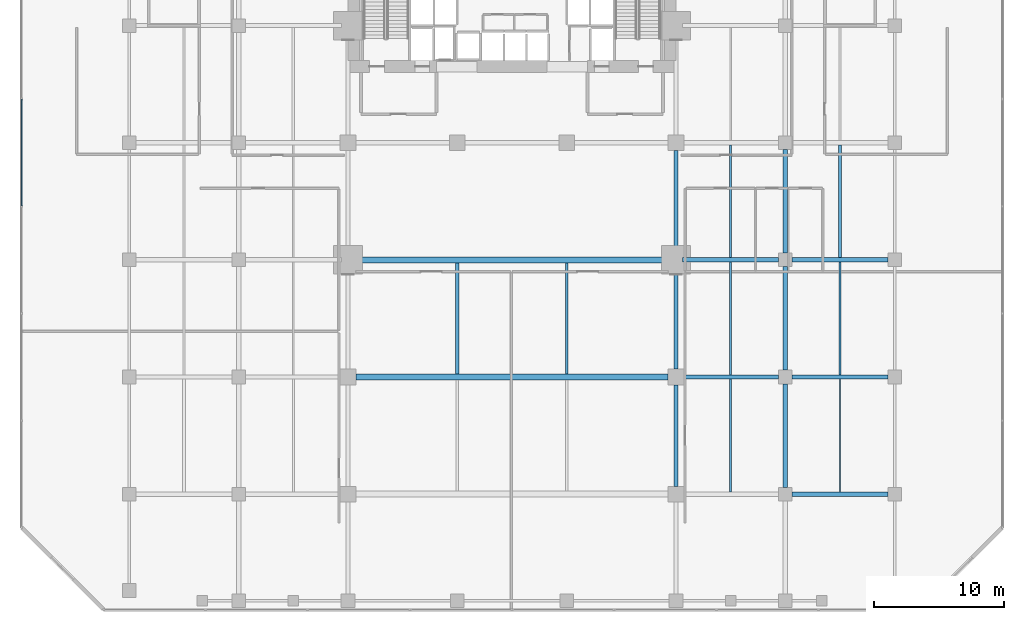
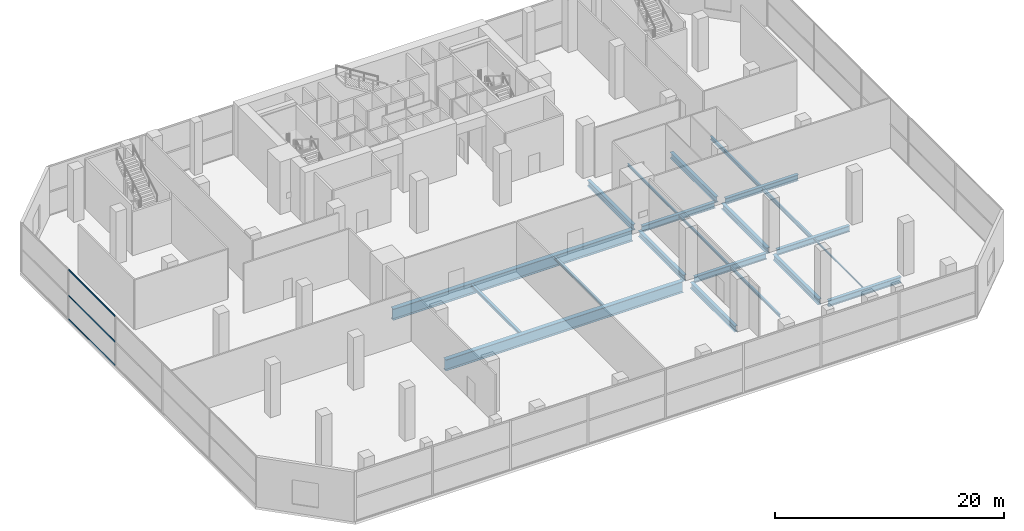
# One storey, part 16 of 40: 21 beams, 3 members, 1 element without a shape of its own.
"""IFC4 building model written with IfcOpenShell, lengths in metres."""

from ifc_helpers import new_model, si_unit, direction, frame, origin, origin_2d, place, context, subcontext, project, spatial, hollow_rectangle, i_section, extrude, material, layer, layer_set, material_profile, profile_set, type_object, element, aggregate, save


model = new_model("IFC4")

# Units and contexts
model_context = context("Model", 3, precision=1e-05, world=origin(), true_north=direction((0.0, 1.0)))
body_context = subcontext(model_context, "Body", "Model", "MODEL_VIEW")
ifc_project = project(units=[si_unit("LENGTHUNIT", "METRE"), si_unit("AREAUNIT", "SQUARE_METRE"), si_unit("VOLUMEUNIT", "CUBIC_METRE"), si_unit("PLANEANGLEUNIT", "RADIAN"), si_unit("MASSUNIT", "GRAM", prefix="KILO")], contexts=[model_context])

# Site, building, storey
site_placement = place(None, origin())
site = spatial("IfcSite", under=ifc_project, at=site_placement, CompositionType="ELEMENT")
building_placement = place(site_placement, origin())
building = spatial("IfcBuilding", under=site, at=building_placement, Name="Maruvema Waterfront Hotel and Observation Tower", CompositionType="ELEMENT")
storey_placement = place(building_placement, frame((0.0, 0.0, 10.85009765625)))
storey = spatial("IfcBuildingStorey", under=building, at=storey_placement, Name="L02", CompositionType="ELEMENT", Elevation=10.85009765625)

# Curtain wall, members
ifc_material_1 = material(Name="Anodised bronze aluminium and solar-control low-E IGU", Category="aluminium")
ifc_layer = layer(ifc_material_1, 0.159912109375, Name="Podium Waterfront Storefront Curtain Wall System CW-01")
ifc_layer_set = layer_set([ifc_layer], Name="Anodised bronze aluminium and solar-control low-E IGU")
curtain_wall_type = type_object("IfcCurtainWallType", Name="Podium Waterfront Storefront Curtain Wall System CW-01", PredefinedType="USERDEFINED", material=ifc_layer_set)
curtain_wall_placement = place(storey_placement, origin())
curtain_wall = element("IfcCurtainWall", 1, at=curtain_wall_placement, inside=storey, type_object=curtain_wall_type, Name="L02 Curtain Wall CW-L02-W", ObjectType="UNITISED CURTAIN WALL", PredefinedType="USERDEFINED")
ifc_material_2 = material(Name="Anodised architectural bronze aluminium", Category="aluminium")
ifc_material_profile_1 = material_profile(ifc_material_2, hollow_rectangle(XDim=0.070068359375, YDim=0.14990234375, WallThickness=0.00390625, at=origin_2d()), Name="ALU-T70x150")
ifc_profile_set_1 = profile_set([ifc_material_profile_1], Name="Anodised architectural bronze aluminium")
member_type = type_object("IfcMemberType", Name="Curtain Wall Horizontal Transom ALU-T70x150", PredefinedType="USERDEFINED", material=ifc_profile_set_1)
member_1_placement = place(storey_placement, frame((0.1201171875, 39.330078125, 0.02978515625), z_axis=(0.0, -1.0, 0.0), x_axis=(1.0, 0.0, 0.0)))
member_1 = element("IfcMember", 2, at=member_1_placement, type_object=member_type, Name="CW-01 transom 2.1", ObjectType="TRANSOM", PredefinedType="USERDEFINED", context=body_context, shape_type="SweptSolid", body=[
    extrude(hollow_rectangle(XDim=0.070068359375, YDim=0.14990234375, WallThickness=0.00390625, at=origin_2d()), origin(), (0.0, 0.0, 1.0), 8.18017578125),
])
member_2_placement = place(storey_placement, frame((0.1201171875, 39.330078125, 2.5498046875), z_axis=(0.0, -1.0, 0.0), x_axis=(1.0, 0.0, 0.0)))
member_2 = element("IfcMember", 3, at=member_2_placement, type_object=member_type, Name="CW-01 transom 2.2", ObjectType="TRANSOM", PredefinedType="USERDEFINED", context=body_context, shape_type="SweptSolid", body=[
    extrude(hollow_rectangle(XDim=0.070068359375, YDim=0.14990234375, WallThickness=0.00390625, at=origin_2d()), origin(), (0.0, 0.0, 1.0), 8.18017578125),
])
member_3_placement = place(storey_placement, frame((0.1201171875, 39.330078125, 5.289794921875), z_axis=(0.0, -1.0, 0.0), x_axis=(1.0, 0.0, 0.0)))
member_3 = element("IfcMember", 4, at=member_3_placement, type_object=member_type, Name="CW-01 transom 2.3", ObjectType="TRANSOM", PredefinedType="USERDEFINED", context=body_context, shape_type="SweptSolid", body=[
    extrude(hollow_rectangle(XDim=0.070068359375, YDim=0.14990234375, WallThickness=0.00390625, at=origin_2d()), origin(), (0.0, 0.0, 1.0), 8.18017578125),
])
aggregate(curtain_wall, [member_1, member_2, member_3])

# Beams
ifc_material_3 = material(Name="Steel ASTM A572 Grade 50", Category="steel")
ifc_material_profile_2 = material_profile(ifc_material_3, i_section(OverallWidth=0.3291015625, OverallDepth=0.635009765625, WebThickness=0.017822265625, FlangeThickness=0.031005859375, FilletRadius=0.01806640625, at=origin_2d()), Name="W610x241.0")
ifc_profile_set_2 = profile_set([ifc_material_profile_2], Name="Steel ASTM A572 Grade 50")
beam_type_1 = type_object("IfcBeamType", Name="Primary Floor Girder W610x241.0", PredefinedType="BEAM", material=ifc_profile_set_2)
beam_1_placement = place(storey_placement, frame((59.324951171875, 9.0, -0.59765625), z_axis=(1.0, 0.0, 0.0), x_axis=(0.0, 1.0, 0.0)))
element("IfcBeam", 5, at=beam_1_placement, inside=storey, type_object=beam_type_1, Name="L02 Floor Girder EW-14", PredefinedType="BEAM", context=body_context, shape_type="SweptSolid", body=[
    extrude(i_section(OverallWidth=0.3291015625, OverallDepth=0.635009765625, WebThickness=0.017822265625, FlangeThickness=0.031005859375, FilletRadius=0.01806640625, at=origin_2d()), origin(), (0.0, 0.0, 1.0), 7.35009765625),
])
beam_2_placement = place(storey_placement, frame((51.0, 18.0, -0.59765625), z_axis=(1.0, 0.0, 0.0), x_axis=(0.0, 1.0, 0.0)))
element("IfcBeam", 6, at=beam_2_placement, inside=storey, type_object=beam_type_1, Name="L02 Floor Girder EW-18", PredefinedType="BEAM", context=body_context, shape_type="SweptSolid", body=[
    extrude(i_section(OverallWidth=0.3291015625, OverallDepth=0.635009765625, WebThickness=0.017822265625, FlangeThickness=0.031005859375, FilletRadius=0.01806640625, at=origin_2d()), origin(), (0.0, 0.0, 1.0), 7.27490234375),
])
beam_3_placement = place(storey_placement, frame((59.324951171875, 18.0, -0.59765625), z_axis=(1.0, 0.0, 0.0), x_axis=(0.0, 1.0, 0.0)))
element("IfcBeam", 7, at=beam_3_placement, inside=storey, type_object=beam_type_1, Name="L02 Floor Girder EW-19", PredefinedType="BEAM", context=body_context, shape_type="SweptSolid", body=[
    extrude(i_section(OverallWidth=0.3291015625, OverallDepth=0.635009765625, WebThickness=0.017822265625, FlangeThickness=0.031005859375, FilletRadius=0.01806640625, at=origin_2d()), origin(), (0.0, 0.0, 1.0), 7.35009765625),
])
beam_4_placement = place(storey_placement, frame((50.89990234375, 27.0, -0.59765625), z_axis=(1.0, 0.0, 0.0), x_axis=(0.0, 1.0, 0.0)))
element("IfcBeam", 8, at=beam_4_placement, inside=storey, type_object=beam_type_1, Name="L02 Floor Girder EW-23", PredefinedType="BEAM", context=body_context, shape_type="SweptSolid", body=[
    extrude(i_section(OverallWidth=0.3291015625, OverallDepth=0.635009765625, WebThickness=0.017822265625, FlangeThickness=0.031005859375, FilletRadius=0.01806640625, at=origin_2d()), origin(), (0.0, 0.0, 1.0), 7.375),
])
beam_5_placement = place(storey_placement, frame((59.324951171875, 27.0, -0.59765625), z_axis=(1.0, 0.0, 0.0), x_axis=(0.0, 1.0, 0.0)))
element("IfcBeam", 9, at=beam_5_placement, inside=storey, type_object=beam_type_1, Name="L02 Floor Girder EW-24", PredefinedType="BEAM", context=body_context, shape_type="SweptSolid", body=[
    extrude(i_section(OverallWidth=0.3291015625, OverallDepth=0.635009765625, WebThickness=0.017822265625, FlangeThickness=0.031005859375, FilletRadius=0.01806640625, at=origin_2d()), origin(), (0.0, 0.0, 1.0), 7.35009765625),
])
beam_6_placement = place(storey_placement, frame((50.39990234375, 9.60009765625, -0.59765625), z_axis=(0.0, 1.0, 0.0), x_axis=(-1.0, 0.0, 0.0)))
element("IfcBeam", 10, at=beam_6_placement, inside=storey, type_object=beam_type_1, Name="L02 Floor Girder NS-19", PredefinedType="BEAM", context=body_context, shape_type="SweptSolid", body=[
    extrude(i_section(OverallWidth=0.3291015625, OverallDepth=0.635009765625, WebThickness=0.017822265625, FlangeThickness=0.031005859375, FilletRadius=0.01806640625, at=origin_2d()), origin(), (0.0, 0.0, 1.0), 7.7998046875),
])
for number, where, z_axis, x_axis, name in (
    (11, (50.39990234375, 18.60009765625, -0.59765625), (0.0, 1.0, 0.0), (-1.0, 0.0, 0.0), "L02 Floor Girder NS-20"),
    (12, (50.39990234375, 27.5, -0.59765625), (0.0, 1.0, 0.0), (-1.0, 0.0, 0.0), "L02 Floor Girder NS-21"),
):
    element("IfcBeam", number, at=place(storey_placement, frame(where, z_axis=z_axis, x_axis=x_axis)), inside=storey, type_object=beam_type_1, Name=name, PredefinedType="BEAM", context=body_context, shape_type="SweptSolid", body=[
        extrude(i_section(OverallWidth=0.3291015625, OverallDepth=0.635009765625, WebThickness=0.017822265625, FlangeThickness=0.031005859375, FilletRadius=0.01806640625, at=origin_2d()), origin(), (0.0, 0.0, 1.0), 7.89990234375),
    ])
for number, where, z_axis, x_axis, name in (
    (13, (58.800048828125, 9.52490234375, -0.59765625), (0.0, 1.0, 0.0), (-1.0, 0.0, 0.0), "L02 Floor Girder NS-24"),
    (14, (58.800048828125, 18.52490234375, -0.59765625), (0.0, 1.0, 0.0), (-1.0, 0.0, 0.0), "L02 Floor Girder NS-25"),
    (15, (58.800048828125, 27.52490234375, -0.59765625), (0.0, 1.0, 0.0), (-1.0, 0.0, 0.0), "L02 Floor Girder NS-26"),
):
    element("IfcBeam", number, at=place(storey_placement, frame(where, z_axis=z_axis, x_axis=x_axis)), inside=storey, type_object=beam_type_1, Name=name, PredefinedType="BEAM", context=body_context, shape_type="SweptSolid", body=[
        extrude(i_section(OverallWidth=0.3291015625, OverallDepth=0.635009765625, WebThickness=0.017822265625, FlangeThickness=0.031005859375, FilletRadius=0.01806640625, at=origin_2d()), origin(), (0.0, 0.0, 1.0), 7.9501953125),
    ])
ifc_material_4 = material(Name="Steel ASTM A572 Grade 50", Category="steel")
ifc_material_profile_3 = material_profile(ifc_material_4, i_section(OverallWidth=0.10009765625, OverallDepth=0.153076171875, WebThickness=0.005859375, FlangeThickness=0.007080078125, FilletRadius=0.008056640625, at=origin_2d()), Name="W150x18.0")
ifc_profile_set_3 = profile_set([ifc_material_profile_3], Name="Steel ASTM A572 Grade 50")
beam_type_2 = type_object("IfcBeamType", Name="Secondary Floor Joist W150x18.0", PredefinedType="JOIST", material=ifc_profile_set_3)
beam_7_placement = place(storey_placement, frame((63.0, 9.16455078125, -0.356689453125), z_axis=(0.0, 1.0, 0.0), x_axis=(-1.0, 0.0, 0.0)))
element("IfcBeam", 16, at=beam_7_placement, inside=storey, type_object=beam_type_2, Name="L02 Secondary Floor Joist JS-17", PredefinedType="JOIST", context=body_context, shape_type="SweptSolid", body=[
    extrude(i_section(OverallWidth=0.10009765625, OverallDepth=0.153076171875, WebThickness=0.005859375, FlangeThickness=0.007080078125, FilletRadius=0.008056640625, at=origin_2d()), origin(), (0.0, 0.0, 1.0), 8.6708984375),
])
ifc_material_5 = material(Name="Steel ASTM A572 Grade 50", Category="steel")
ifc_material_profile_4 = material_profile(ifc_material_5, i_section(OverallWidth=0.14599609375, OverallDepth=0.258056640625, WebThickness=0.006103515625, FlangeThickness=0.009033203125, FilletRadius=0.012939453125, at=origin_2d()), Name="W250x32.7")
ifc_profile_set_4 = profile_set([ifc_material_profile_4], Name="Steel ASTM A572 Grade 50")
beam_type_3 = type_object("IfcBeamType", Name="Secondary Floor Joist W250x32.7", PredefinedType="JOIST", material=ifc_profile_set_4)
beam_8_placement = place(storey_placement, frame((54.60009765625, 27.16455078125, -0.4091796875), z_axis=(0.0, 1.0, 0.0), x_axis=(-1.0, 0.0, 0.0)))
element("IfcBeam", 17, at=beam_8_placement, inside=storey, type_object=beam_type_3, Name="L02 Secondary Floor Joist JS-15", PredefinedType="JOIST", context=body_context, shape_type="SweptSolid", body=[
    extrude(i_section(OverallWidth=0.14599609375, OverallDepth=0.258056640625, WebThickness=0.006103515625, FlangeThickness=0.009033203125, FilletRadius=0.012939453125, at=origin_2d()), origin(), (0.0, 0.0, 1.0), 8.6708984375),
])
ifc_material_6 = material(Name="Steel ASTM A572 Grade 50", Category="steel")
ifc_material_profile_5 = material_profile(ifc_material_6, i_section(OverallWidth=0.14794921875, OverallDepth=0.26611328125, WebThickness=0.007568359375, FlangeThickness=0.012939453125, FilletRadius=0.012939453125, at=origin_2d()), Name="W250x44.8")
ifc_profile_set_5 = profile_set([ifc_material_profile_5], Name="Steel ASTM A572 Grade 50")
beam_type_4 = type_object("IfcBeamType", Name="Secondary Floor Joist W250x44.8", PredefinedType="JOIST", material=ifc_profile_set_5)
beam_9_placement = place(storey_placement, frame((54.60009765625, 18.16455078125, -0.4130859375), z_axis=(0.0, 1.0, 0.0), x_axis=(-1.0, 0.0, 0.0)))
element("IfcBeam", 18, at=beam_9_placement, inside=storey, type_object=beam_type_4, Name="L02 Secondary Floor Joist JS-14", PredefinedType="JOIST", context=body_context, shape_type="SweptSolid", body=[
    extrude(i_section(OverallWidth=0.14794921875, OverallDepth=0.26611328125, WebThickness=0.007568359375, FlangeThickness=0.012939453125, FilletRadius=0.012939453125, at=origin_2d()), origin(), (0.0, 0.0, 1.0), 8.6708984375),
])
ifc_material_7 = material(Name="Steel ASTM A572 Grade 50", Category="steel")
ifc_material_profile_6 = material_profile(ifc_material_7, i_section(OverallWidth=0.1650390625, OverallDepth=0.31005859375, WebThickness=0.005859375, FlangeThickness=0.009765625, FilletRadius=0.012939453125, at=origin_2d()), Name="W310x38.7")
ifc_profile_set_6 = profile_set([ifc_material_profile_6], Name="Steel ASTM A572 Grade 50")
beam_type_5 = type_object("IfcBeamType", Name="Secondary Floor Joist W310x38.7", PredefinedType="JOIST", material=ifc_profile_set_6)
beam_10_placement = place(storey_placement, frame((54.60009765625, 9.16455078125, -0.43505859375), z_axis=(0.0, 1.0, 0.0), x_axis=(-1.0, 0.0, 0.0)))
element("IfcBeam", 19, at=beam_10_placement, inside=storey, type_object=beam_type_5, Name="L02 Secondary Floor Joist JS-13", PredefinedType="JOIST", context=body_context, shape_type="SweptSolid", body=[
    extrude(i_section(OverallWidth=0.1650390625, OverallDepth=0.31005859375, WebThickness=0.005859375, FlangeThickness=0.009765625, FilletRadius=0.012939453125, at=origin_2d()), origin(), (0.0, 0.0, 1.0), 8.6708984375),
])
ifc_material_8 = material(Name="Steel ASTM A572 Grade 50", Category="steel")
ifc_material_profile_7 = material_profile(ifc_material_8, i_section(OverallWidth=0.1669921875, OverallDepth=0.31689453125, WebThickness=0.007568359375, FlangeThickness=0.01318359375, FilletRadius=0.012939453125, at=origin_2d()), Name="W310x52.0")
ifc_profile_set_7 = profile_set([ifc_material_profile_7], Name="Steel ASTM A572 Grade 50")
beam_type_6 = type_object("IfcBeamType", Name="Secondary Floor Joist W310x52.0", PredefinedType="JOIST", material=ifc_profile_set_7)
beam_11_placement = place(storey_placement, frame((42.0, 18.22509765625, -0.4384765625), z_axis=(0.0, 1.0, 0.0), x_axis=(-1.0, 0.0, 0.0)))
element("IfcBeam", 20, at=beam_11_placement, inside=storey, type_object=beam_type_6, Name="L02 Secondary Floor Joist JS-12", PredefinedType="JOIST", context=body_context, shape_type="SweptSolid", body=[
    extrude(i_section(OverallWidth=0.1669921875, OverallDepth=0.31689453125, WebThickness=0.007568359375, FlangeThickness=0.01318359375, FilletRadius=0.012939453125, at=origin_2d()), origin(), (0.0, 0.0, 1.0), 8.5498046875),
])
ifc_material_9 = material(Name="Steel ASTM A572 Grade 50", Category="steel")
ifc_material_profile_8 = material_profile(ifc_material_9, i_section(OverallWidth=0.25390625, OverallDepth=0.305908203125, WebThickness=0.0087890625, FlangeThickness=0.0146484375, FilletRadius=0.014892578125, at=origin_2d()), Name="W310x79.0")
ifc_profile_set_8 = profile_set([ifc_material_profile_8], Name="Steel ASTM A572 Grade 50")
beam_type_7 = type_object("IfcBeamType", Name="Secondary Floor Joist W310x79.0", PredefinedType="JOIST", material=ifc_profile_set_8)
beam_12_placement = place(storey_placement, frame((33.60009765625, 18.22509765625, -0.43310546875), z_axis=(0.0, 1.0, 0.0), x_axis=(-1.0, 0.0, 0.0)))
element("IfcBeam", 21, at=beam_12_placement, inside=storey, type_object=beam_type_7, Name="L02 Secondary Floor Joist JS-11", PredefinedType="JOIST", context=body_context, shape_type="SweptSolid", body=[
    extrude(i_section(OverallWidth=0.25390625, OverallDepth=0.305908203125, WebThickness=0.0087890625, FlangeThickness=0.0146484375, FilletRadius=0.014892578125, at=origin_2d()), origin(), (0.0, 0.0, 1.0), 8.5498046875),
])
ifc_material_10 = material(Name="Steel ASTM A572 Grade 50", Category="steel")
ifc_material_profile_9 = material_profile(ifc_material_10, i_section(OverallWidth=0.202880859375, OverallDepth=0.346923828125, WebThickness=0.0078125, FlangeThickness=0.013427734375, FilletRadius=0.014892578125, at=origin_2d()), Name="W360x64.0")
ifc_profile_set_9 = profile_set([ifc_material_profile_9], Name="Steel ASTM A572 Grade 50")
beam_type_8 = type_object("IfcBeamType", Name="Secondary Floor Joist W360x64.0", PredefinedType="JOIST", material=ifc_profile_set_9)
beam_13_placement = place(storey_placement, frame((63.0, 27.16455078125, -0.45361328125), z_axis=(0.0, 1.0, 0.0), x_axis=(-1.0, 0.0, 0.0)))
element("IfcBeam", 22, at=beam_13_placement, inside=storey, type_object=beam_type_8, Name="L02 Secondary Floor Joist JS-19", PredefinedType="JOIST", context=body_context, shape_type="SweptSolid", body=[
    extrude(i_section(OverallWidth=0.202880859375, OverallDepth=0.346923828125, WebThickness=0.0078125, FlangeThickness=0.013427734375, FilletRadius=0.014892578125, at=origin_2d()), origin(), (0.0, 0.0, 1.0), 8.6708984375),
])
ifc_material_11 = material(Name="Steel ASTM A572 Grade 50", Category="steel")
ifc_material_profile_10 = material_profile(ifc_material_11, i_section(OverallWidth=0.177001953125, OverallDepth=0.403076171875, WebThickness=0.007568359375, FlangeThickness=0.010986328125, FilletRadius=0.014892578125, at=origin_2d()), Name="W410x53.0")
ifc_profile_set_10 = profile_set([ifc_material_profile_10], Name="Steel ASTM A572 Grade 50")
beam_type_9 = type_object("IfcBeamType", Name="Secondary Floor Joist W410x53.0", PredefinedType="JOIST", material=ifc_profile_set_10)
beam_14_placement = place(storey_placement, frame((63.0, 18.16455078125, -0.481689453125), z_axis=(0.0, 1.0, 0.0), x_axis=(-1.0, 0.0, 0.0)))
element("IfcBeam", 23, at=beam_14_placement, inside=storey, type_object=beam_type_9, Name="L02 Secondary Floor Joist JS-18", PredefinedType="JOIST", context=body_context, shape_type="SweptSolid", body=[
    extrude(i_section(OverallWidth=0.177001953125, OverallDepth=0.403076171875, WebThickness=0.007568359375, FlangeThickness=0.010986328125, FilletRadius=0.014892578125, at=origin_2d()), origin(), (0.0, 0.0, 1.0), 8.6708984375),
])
ifc_material_12 = material(Name="Steel ABNT NBR 7007 AR 415 (ASTM A572 Grade 50)", Category="steel")
ifc_material_profile_11 = material_profile(ifc_material_12, i_section(OverallWidth=0.449951171875, OverallDepth=1.199951171875, WebThickness=0.01904296875, FlangeThickness=0.031982421875, at=origin_2d()), Name="VS1200x366")
ifc_profile_set_11 = profile_set([ifc_material_profile_11], Name="Steel ABNT NBR 7007 AR 415 (ASTM A572 Grade 50)")
beam_type_10 = type_object("IfcBeamType", Name="Upper Setback Transfer Girder VS1200x366", PredefinedType="USERDEFINED", material=ifc_profile_set_11)
beam_15_placement = place(storey_placement, frame((25.800048828125, 18.0, -0.880126953125), z_axis=(1.0, 0.0, 0.0), x_axis=(0.0, 1.0, 0.0)))
element("IfcBeam", 24, at=beam_15_placement, inside=storey, type_object=beam_type_10, Name="L02 Floor Girder EW-17", ObjectType="TRANSFER GIRDER", PredefinedType="USERDEFINED", context=body_context, shape_type="SweptSolid", body=[
    extrude(i_section(OverallWidth=0.449951171875, OverallDepth=1.199951171875, WebThickness=0.01904296875, FlangeThickness=0.031982421875, at=origin_2d()), origin(), (0.0, 0.0, 1.0), 24.0),
])
beam_16_placement = place(storey_placement, frame((25.699951171875, 27.0, -0.880126953125), z_axis=(1.0, 0.0, 0.0), x_axis=(0.0, 1.0, 0.0)))
element("IfcBeam", 25, at=beam_16_placement, inside=storey, type_object=beam_type_10, Name="L02 Floor Girder EW-22", ObjectType="TRANSFER GIRDER", PredefinedType="USERDEFINED", context=body_context, shape_type="SweptSolid", body=[
    extrude(i_section(OverallWidth=0.449951171875, OverallDepth=1.199951171875, WebThickness=0.01904296875, FlangeThickness=0.031982421875, at=origin_2d()), origin(), (0.0, 0.0, 1.0), 24.199951171875),
])

save(model, "model.ifc")
